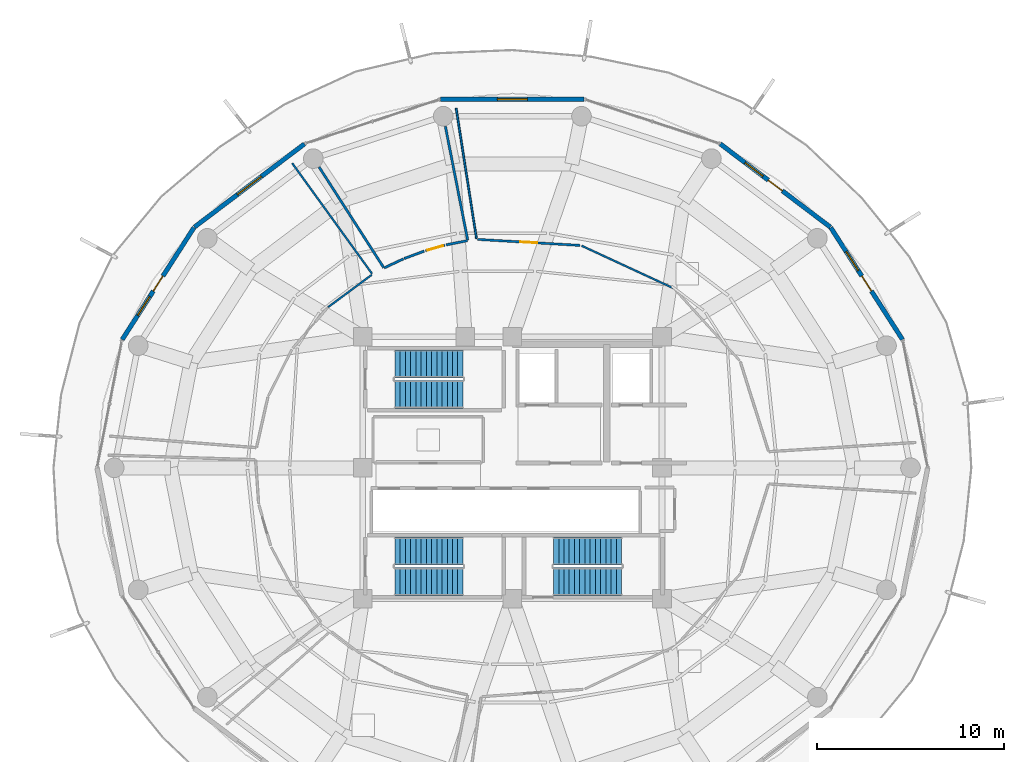
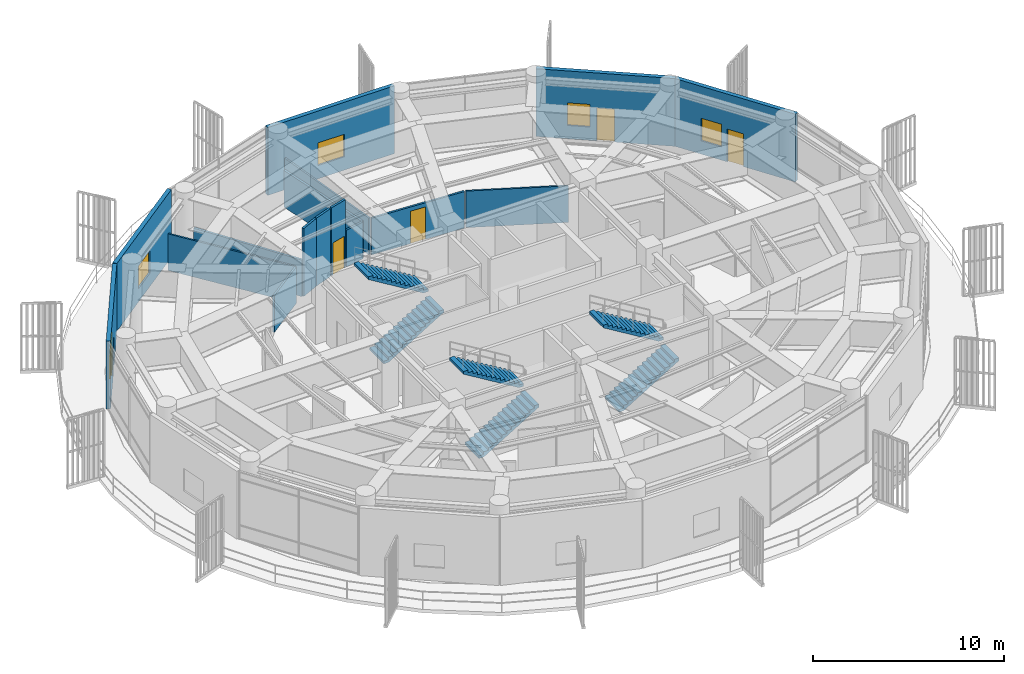
# One storey, part 24 of 29: 16 walls, 6 stair flights, 5 doors, 5 windows, 10 openings, 3 elements without a shape of their own.
"""IFC4 building model written with IfcOpenShell, lengths in metres."""

from ifc_helpers import new_model, si_unit, direction, frame, frame_2d, origin, place, context, subcontext, project, spatial, polyline, rectangle, outline, extrude, material, layer, layer_set, type_object, element, fill, aggregate, save


model = new_model("IFC4")

# Units and contexts
model_context = context("Model", 3, precision=1e-05, world=origin(), true_north=direction((0.0, 1.0)))
body_context = subcontext(model_context, "Body", "Model", "MODEL_VIEW")
ifc_project = project(units=[si_unit("LENGTHUNIT", "METRE"), si_unit("AREAUNIT", "SQUARE_METRE"), si_unit("VOLUMEUNIT", "CUBIC_METRE"), si_unit("PLANEANGLEUNIT", "RADIAN"), si_unit("MASSUNIT", "GRAM", prefix="KILO")], contexts=[model_context])

# Site, building, storey
site_placement = place(None, origin())
site = spatial("IfcSite", under=ifc_project, at=site_placement, CompositionType="ELEMENT")
building_placement = place(site_placement, origin())
building = spatial("IfcBuilding", under=site, at=building_placement, Name="Kelanora Arch Commons", CompositionType="ELEMENT")
storey_placement = place(building_placement, frame((0.0, 0.0, 238.199951171875)))
storey = spatial("IfcBuildingStorey", under=building, at=storey_placement, Name="L61", CompositionType="ELEMENT", Elevation=238.199951171875)

# Wall, openings, door, window
ifc_material_1 = material(Name="Precast concrete C40/50 upper-zone terracotta rainscreen", Category="masonry")
ifc_layer_1 = layer(ifc_material_1, 0.239990234375)
ifc_layer_set_1 = layer_set([ifc_layer_1], Name="Precast concrete C40/50 upper-zone terracotta rainscreen")
wall_type_1 = type_object("IfcWallType", Name="W-EXT-TC2", PredefinedType="SOLIDWALL", material=ifc_layer_set_1)
wall_1_placement = place(storey_placement, frame((94.85302734375, 64.85302734375, 0.0), z_axis=(0.0, 0.0, 1.0), x_axis=(-0.539539512973, 0.841960280501, 0.0)))
wall_1 = element("IfcWall", 1, at=wall_1_placement, inside=storey, type_object=wall_type_1, Name="Terracotta Exterior Wall L61-B01", PredefinedType="SOLIDWALL", context=body_context, shape_type="SweptSolid", body=[
    extrude(rectangle(XDim=7.11474609375, YDim=0.239990234375, at=frame_2d((3.557373046875, 0.0))), origin(), (0.0, 0.0, 1.0), 4.344970703125),
])
opening_1_placement = place(wall_1_placement, frame((3.08203125, 0.0, 0.0)))
opening_1 = element("IfcOpeningElement", 2, at=opening_1_placement, cuts=wall_1, Name="Opening DB-01", PredefinedType="OPENING", context=body_context, shape_type="SweptSolid", body=[
    extrude(rectangle(XDim=0.949951171875, YDim=2.10009765625, at=frame_2d((0.47509765625, 1.050048828125))), frame((0.0, 0.1298828125, 0.0), z_axis=(0.0, -1.0, 0.0), x_axis=(1.0, 0.0, 0.0)), (0.0, 0.0, 1.0), 0.260009765625),
])
opening_2_placement = place(wall_1_placement, frame((4.382080078125, 0.0, 0.85009765625)))
opening_2 = element("IfcOpeningElement", 3, at=opening_2_placement, cuts=wall_1, Name="Opening WN-02", PredefinedType="OPENING", context=body_context, shape_type="SweptSolid", body=[
    extrude(rectangle(XDim=1.199951171875, YDim=1.449951171875, at=frame_2d((0.60009765625, 0.72509765625))), frame((0.0, 0.1298828125, 0.0), z_axis=(0.0, -1.0, 0.0), x_axis=(1.0, 0.0, 0.0)), (0.0, 0.0, 1.0), 0.260009765625),
])
ifc_material_2 = material(Name="Terracotta-aluminium thermally broken glazed balcony door", Category="masonry")
door_type_1 = type_object("IfcDoorType", Name="D-BAL-10", OperationType="NOTDEFINED", PredefinedType="DOOR", material=ifc_material_2)
door_1_placement = place(opening_1_placement, frame((0.949951171875, 0.0, 0.0), z_axis=(0.0, 0.0, 1.0), x_axis=(-1.0, 0.0, 0.0)))
door_1 = element("IfcDoor", 4, at=door_1_placement, inside=storey, type_object=door_type_1, Name="Wave Balcony Door L61-B01", OperationType="SINGLE_SWING_LEFT", OverallHeight=2.10009765625, OverallWidth=0.949951171875, PredefinedType="DOOR", context=body_context, shape_type="SweptSolid", body=[
    extrude(rectangle(XDim=0.949951171875, YDim=2.10009765625, at=frame_2d((0.47509765625, 1.050048828125))), frame((0.0, 0.02490234375, 0.0), z_axis=(0.0, -1.0, 0.0), x_axis=(1.0, 0.0, 0.0)), (0.0, 0.0, 1.0), 0.050048828125),
])
fill(opening_1, door_1)
ifc_material_3 = material(Name="Terracotta-anodised aluminium frame with operable awning sash", Category="masonry")
window_type_1 = type_object("IfcWindowType", Name="WIN-CL-12", PartitioningType="SINGLE_PANEL", PredefinedType="WINDOW", material=ifc_material_3)
window_1_placement = place(opening_2_placement, origin())
window_1 = element("IfcWindow", 5, at=window_1_placement, inside=storey, type_object=window_type_1, Name="Co-Living Operable Window L61-B01", OverallHeight=1.449951171875, OverallWidth=1.199951171875, PartitioningType="SINGLE_PANEL", PredefinedType="WINDOW", context=body_context, shape_type="SweptSolid", body=[
    extrude(rectangle(XDim=1.199951171875, YDim=1.449951171875, at=frame_2d((0.60009765625, 0.72509765625))), frame((0.0, 0.030029296875, 0.0), z_axis=(0.0, -1.0, 0.0), x_axis=(1.0, 0.0, 0.0)), (0.0, 0.0, 1.0), 0.06005859375),
])
fill(opening_2, window_1)

wall_2_placement = place(storey_placement, frame((90.994140625, 70.86474609375, 0.0), z_axis=(0.0, 0.0, 1.0), x_axis=(-0.797701674595, 0.603052268338, 0.0)))
wall_2 = element("IfcWall", 6, at=wall_2_placement, inside=storey, type_object=wall_type_1, Name="Terracotta Exterior Wall L61-B02", PredefinedType="SOLIDWALL", context=body_context, shape_type="SweptSolid", body=[
    extrude(rectangle(XDim=7.373779296875, YDim=0.239990234375, at=frame_2d((3.68701171875, 0.0))), origin(), (0.0, 0.0, 1.0), 4.344970703125),
])
opening_3_placement = place(wall_2_placement, frame((3.2119140625, 0.0, 0.0)))
opening_3 = element("IfcOpeningElement", 7, at=opening_3_placement, cuts=wall_2, Name="Opening DB-01", PredefinedType="OPENING", context=body_context, shape_type="SweptSolid", body=[
    extrude(rectangle(XDim=0.949951171875, YDim=2.10009765625, at=frame_2d((0.47509765625, 1.050048828125))), frame((0.0, 0.1298828125, 0.0), z_axis=(0.0, -1.0, 0.0), x_axis=(1.0, 0.0, 0.0)), (0.0, 0.0, 1.0), 0.260009765625),
])
opening_4_placement = place(wall_2_placement, frame((4.511962890625, 0.0, 0.85009765625)))
opening_4 = element("IfcOpeningElement", 8, at=opening_4_placement, cuts=wall_2, Name="Opening WN-02", PredefinedType="OPENING", context=body_context, shape_type="SweptSolid", body=[
    extrude(rectangle(XDim=1.199951171875, YDim=1.449951171875, at=frame_2d((0.60009765625, 0.72509765625))), frame((0.0, 0.1298828125, 0.0), z_axis=(0.0, -1.0, 0.0), x_axis=(1.0, 0.0, 0.0)), (0.0, 0.0, 1.0), 0.260009765625),
])
door_2_placement = place(opening_3_placement, frame((0.949951171875, 0.0, 0.0), z_axis=(0.0, 0.0, 1.0), x_axis=(-1.0, 0.0, 0.0)))
door_2 = element("IfcDoor", 9, at=door_2_placement, inside=storey, type_object=door_type_1, Name="Wave Balcony Door L61-B02", OperationType="SINGLE_SWING_RIGHT", OverallHeight=2.10009765625, OverallWidth=0.949951171875, PredefinedType="DOOR", context=body_context, shape_type="SweptSolid", body=[
    extrude(rectangle(XDim=0.949951171875, YDim=2.10009765625, at=frame_2d((0.47509765625, 1.050048828125))), frame((0.0, 0.02490234375, 0.0), z_axis=(0.0, -1.0, 0.0), x_axis=(1.0, 0.0, 0.0)), (0.0, 0.0, 1.0), 0.050048828125),
])
fill(opening_3, door_2)
window_2_placement = place(opening_4_placement, origin())
window_2 = element("IfcWindow", 10, at=window_2_placement, inside=storey, type_object=window_type_1, Name="Co-Living Operable Window L61-B02", OverallHeight=1.449951171875, OverallWidth=1.199951171875, PartitioningType="SINGLE_PANEL", PredefinedType="WINDOW", context=body_context, shape_type="SweptSolid", body=[
    extrude(rectangle(XDim=1.199951171875, YDim=1.449951171875, at=frame_2d((0.60009765625, 0.72509765625))), frame((0.0, 0.030029296875, 0.0), z_axis=(0.0, -1.0, 0.0), x_axis=(1.0, 0.0, 0.0)), (0.0, 0.0, 1.0), 0.06005859375),
])
fill(opening_4, window_2)

# Wall, opening, window
wall_3_placement = place(storey_placement, frame((77.840087890625, 77.6962890625, 0.0), z_axis=(0.0, 0.0, 1.0), x_axis=(-1.0, 0.0, 0.0)))
wall_3 = element("IfcWall", 11, at=wall_3_placement, inside=storey, type_object=wall_type_1, Name="Terracotta Exterior Wall L61-B04", PredefinedType="SOLIDWALL", context=body_context, shape_type="SweptSolid", body=[
    extrude(rectangle(XDim=7.68017578125, YDim=0.239990234375, at=frame_2d((3.840087890625, 0.0))), origin(), (0.0, 0.0, 1.0), 4.344970703125),
])
opening_5_placement = place(wall_3_placement, frame((3.0400390625, 0.0, 0.85009765625)))
opening_5 = element("IfcOpeningElement", 12, at=opening_5_placement, cuts=wall_3, Name="Opening WN-01", PredefinedType="OPENING", context=body_context, shape_type="SweptSolid", body=[
    extrude(rectangle(XDim=1.60009765625, YDim=1.449951171875, at=frame_2d((0.800048828125, 0.72509765625))), frame((0.0, 0.1298828125, 0.0), z_axis=(0.0, -1.0, 0.0), x_axis=(1.0, 0.0, 0.0)), (0.0, 0.0, 1.0), 0.260009765625),
])
ifc_material_4 = material(Name="Terracotta-anodised aluminium frame with operable low-E glazing", Category="masonry")
window_type_2 = type_object("IfcWindowType", Name="WIN-CL-18", PartitioningType="DOUBLE_PANEL_VERTICAL", PredefinedType="WINDOW", material=ifc_material_4)
window_3_placement = place(opening_5_placement, origin())
window_3 = element("IfcWindow", 13, at=window_3_placement, inside=storey, type_object=window_type_2, Name="Co-Living Operable Window L61-B04", OverallHeight=1.449951171875, OverallWidth=1.60009765625, PartitioningType="SINGLE_PANEL", PredefinedType="WINDOW", context=body_context, shape_type="SweptSolid", body=[
    extrude(rectangle(XDim=1.60009765625, YDim=1.449951171875, at=frame_2d((0.800048828125, 0.72509765625))), frame((0.0, 0.030029296875, 0.0), z_axis=(0.0, -1.0, 0.0), x_axis=(1.0, 0.0, 0.0)), (0.0, 0.0, 1.0), 0.06005859375),
])
fill(opening_5, window_3)

wall_4_placement = place(storey_placement, frame((62.887939453125, 75.3115234375, 0.0), z_axis=(0.0, 0.0, 1.0), x_axis=(-0.797701674595, -0.603052268338, 0.0)))
wall_4 = element("IfcWall", 14, at=wall_4_placement, inside=storey, type_object=wall_type_1, Name="Terracotta Exterior Wall L61-B06", PredefinedType="SOLIDWALL", context=body_context, shape_type="SweptSolid", body=[
    extrude(rectangle(XDim=7.373779296875, YDim=0.239990234375, at=frame_2d((3.68701171875, 0.0))), origin(), (0.0, 0.0, 1.0), 4.344970703125),
])
opening_6_placement = place(wall_4_placement, frame((2.886962890625, 0.0, 0.85009765625)))
opening_6 = element("IfcOpeningElement", 15, at=opening_6_placement, cuts=wall_4, Name="Opening WN-01", PredefinedType="OPENING", context=body_context, shape_type="SweptSolid", body=[
    extrude(rectangle(XDim=1.60009765625, YDim=1.449951171875, at=frame_2d((0.800048828125, 0.72509765625))), frame((0.0, 0.1298828125, 0.0), z_axis=(0.0, -1.0, 0.0), x_axis=(1.0, 0.0, 0.0)), (0.0, 0.0, 1.0), 0.260009765625),
])
window_4_placement = place(opening_6_placement, origin())
window_4 = element("IfcWindow", 16, at=window_4_placement, inside=storey, type_object=window_type_2, Name="Co-Living Operable Window L61-B06", OverallHeight=1.449951171875, OverallWidth=1.60009765625, PartitioningType="SINGLE_PANEL", PredefinedType="WINDOW", context=body_context, shape_type="SweptSolid", body=[
    extrude(rectangle(XDim=1.60009765625, YDim=1.449951171875, at=frame_2d((0.800048828125, 0.72509765625))), frame((0.0, 0.030029296875, 0.0), z_axis=(0.0, -1.0, 0.0), x_axis=(1.0, 0.0, 0.0)), (0.0, 0.0, 1.0), 0.06005859375),
])
fill(opening_6, window_4)

# Wall, openings, door, window
wall_5_placement = place(storey_placement, frame((56.985595703125, 70.84326171875, 0.0), z_axis=(0.0, 0.0, 1.0), x_axis=(-0.539539512973, -0.841960280501, 0.0)))
wall_5 = element("IfcWall", 17, at=wall_5_placement, inside=storey, type_object=wall_type_1, Name="Terracotta Exterior Wall L61-B07", PredefinedType="SOLIDWALL", context=body_context, shape_type="SweptSolid", body=[
    extrude(rectangle(XDim=7.11474609375, YDim=0.239990234375, at=frame_2d((3.557373046875, 0.0))), origin(), (0.0, 0.0, 1.0), 4.344970703125),
])
opening_7_placement = place(wall_5_placement, frame((3.08203125, 0.0, 0.0)))
opening_7 = element("IfcOpeningElement", 18, at=opening_7_placement, cuts=wall_5, Name="Opening DB-01", PredefinedType="OPENING", context=body_context, shape_type="SweptSolid", body=[
    extrude(rectangle(XDim=0.949951171875, YDim=2.10009765625, at=frame_2d((0.47509765625, 1.050048828125))), frame((0.0, 0.1298828125, 0.0), z_axis=(0.0, -1.0, 0.0), x_axis=(1.0, 0.0, 0.0)), (0.0, 0.0, 1.0), 0.260009765625),
])
opening_8_placement = place(wall_5_placement, frame((4.382080078125, 0.0, 0.85009765625)))
opening_8 = element("IfcOpeningElement", 19, at=opening_8_placement, cuts=wall_5, Name="Opening WN-02", PredefinedType="OPENING", context=body_context, shape_type="SweptSolid", body=[
    extrude(rectangle(XDim=1.199951171875, YDim=1.449951171875, at=frame_2d((0.60009765625, 0.72509765625))), frame((0.0, 0.1298828125, 0.0), z_axis=(0.0, -1.0, 0.0), x_axis=(1.0, 0.0, 0.0)), (0.0, 0.0, 1.0), 0.260009765625),
])
door_3_placement = place(opening_7_placement, frame((0.949951171875, 0.0, 0.0), z_axis=(0.0, 0.0, 1.0), x_axis=(-1.0, 0.0, 0.0)))
door_3 = element("IfcDoor", 20, at=door_3_placement, inside=storey, type_object=door_type_1, Name="Wave Balcony Door L61-B07", OperationType="SINGLE_SWING_LEFT", OverallHeight=2.10009765625, OverallWidth=0.949951171875, PredefinedType="DOOR", context=body_context, shape_type="SweptSolid", body=[
    extrude(rectangle(XDim=0.949951171875, YDim=2.10009765625, at=frame_2d((0.47509765625, 1.050048828125))), frame((0.0, 0.02490234375, 0.0), z_axis=(0.0, -1.0, 0.0), x_axis=(1.0, 0.0, 0.0)), (0.0, 0.0, 1.0), 0.050048828125),
])
fill(opening_7, door_3)
window_5_placement = place(opening_8_placement, origin())
window_5 = element("IfcWindow", 21, at=window_5_placement, inside=storey, type_object=window_type_1, Name="Co-Living Operable Window L61-B07", OverallHeight=1.449951171875, OverallWidth=1.199951171875, PartitioningType="SINGLE_PANEL", PredefinedType="WINDOW", context=body_context, shape_type="SweptSolid", body=[
    extrude(rectangle(XDim=1.199951171875, YDim=1.449951171875, at=frame_2d((0.60009765625, 0.72509765625))), frame((0.0, 0.030029296875, 0.0), z_axis=(0.0, -1.0, 0.0), x_axis=(1.0, 0.0, 0.0)), (0.0, 0.0, 1.0), 0.06005859375),
])
fill(opening_8, window_5)

# Walls
ifc_material_5 = material(Name="Lightweight fire-rated acoustic stud partition")
ifc_layer_2 = layer(ifc_material_5, 0.10009765625)
ifc_layer_set_2 = layer_set([ifc_layer_2], Name="Lightweight fire-rated acoustic stud partition")
wall_type_2 = type_object("IfcWallType", Name="W-PART-100", PredefinedType="PARTITIONING", material=ifc_layer_set_2)
wall_6_placement = place(storey_placement, frame((82.604736328125, 67.598876953125, 0.0), z_axis=(0.0, 0.0, 1.0), x_axis=(-0.907600330483, 0.419835253531, 0.0)))
element("IfcWall", 22, at=wall_6_placement, inside=storey, type_object=wall_type_2, Name="East Horizon Quiet Study Lounge L61 Enclosure Partition 3", PredefinedType="PARTITIONING", context=body_context, shape_type="SweptSolid", body=[
    extrude(rectangle(XDim=5.398193359375, YDim=0.10009765625, at=frame_2d((2.69921875, 0.0))), origin(), (0.0, 0.0, 1.0), 2.344970703125),
])
wall_7_placement = place(storey_placement, frame((72.082763671875, 70.24951171875, 0.0), z_axis=(0.0, 0.0, 1.0), x_axis=(-0.154409597951, 0.988006921059, 0.0)))
element("IfcWall", 23, at=wall_7_placement, inside=storey, type_object=wall_type_2, Name="East Horizon Quiet Study Lounge L61 Enclosure Partition 5", PredefinedType="PARTITIONING", context=body_context, shape_type="SweptSolid", body=[
    extrude(rectangle(XDim=7.056640625, YDim=0.10009765625, at=frame_2d((3.5283203125, 0.0))), origin(), (0.0, 0.0, 1.0), 2.344970703125),
])
wall_8_placement = place(storey_placement, frame((66.489990234375, 68.317138671875, 0.0), z_axis=(0.0, 0.0, 1.0), x_axis=(-0.803775990189, -0.594932061328, 0.0)))
element("IfcWall", 24, at=wall_8_placement, inside=storey, type_object=wall_type_2, Name="Upper Sky Transfer Lecture Forum L61 Enclosure Partition 1", PredefinedType="PARTITIONING", context=body_context, shape_type="SweptSolid", body=[
    extrude(rectangle(XDim=2.905029296875, YDim=0.10009765625, at=frame_2d((1.45263671875, 0.0))), origin(), (0.0, 0.0, 1.0), 2.344970703125),
])
wall_9_placement = place(storey_placement, frame((62.232421875, 74.279541015625, 0.0), z_axis=(0.0, 0.0, 1.0), x_axis=(0.585534597139, -0.810647417533, 0.0)))
element("IfcWall", 25, at=wall_9_placement, inside=storey, type_object=wall_type_2, Name="Upper Sky Transfer Lecture Forum L61 Enclosure Partition 10", PredefinedType="PARTITIONING", context=body_context, shape_type="SweptSolid", body=[
    extrude(rectangle(XDim=7.285888671875, YDim=0.10009765625, at=frame_2d((3.64306640625, 0.0))), origin(), (0.0, 0.0, 1.0), 2.344970703125),
])

# Wall, opening, door
ifc_material_6 = material(Name="Acoustic twin-stud fire-rated gypsum partition")
ifc_layer_3 = layer(ifc_material_6, 0.1201171875)
ifc_layer_set_3 = layer_set([ifc_layer_3], Name="Acoustic twin-stud fire-rated gypsum partition")
wall_type_3 = type_object("IfcWallType", Name="W-PART-120", PredefinedType="PARTITIONING", material=ifc_layer_set_3)
wall_10_placement = place(storey_placement, frame((77.609130859375, 69.885498046875, 0.0), z_axis=(0.0, 0.0, 1.0), x_axis=(-0.998275911992, 0.058695856216, 0.0)))
wall_10 = element("IfcWall", 26, at=wall_10_placement, inside=storey, type_object=wall_type_3, Name="East Horizon Quiet Study Lounge L61 Entry Partition", PredefinedType="PARTITIONING", context=body_context, shape_type="SweptSolid", body=[
    extrude(rectangle(XDim=5.4697265625, YDim=0.1201171875, at=frame_2d((2.73486328125, 0.0))), origin(), (0.0, 0.0, 1.0), 2.344970703125),
])
opening_9_placement = place(wall_10_placement, frame((2.284912109375, 0.0, 0.0)))
opening_9 = element("IfcOpeningElement", 27, at=opening_9_placement, cuts=wall_10, Name="Opening D-RM1", PredefinedType="OPENING", context=body_context, shape_type="SweptSolid", body=[
    extrude(rectangle(XDim=0.89990234375, YDim=2.080078125, at=frame_2d((0.449951171875, 1.0400390625))), frame((0.0, 0.070068359375, 0.0), z_axis=(0.0, -1.0, 0.0), x_axis=(1.0, 0.0, 0.0)), (0.0, 0.0, 1.0), 0.14013671875),
])
ifc_material_7 = material(Name="Acoustic fire-rated timber study and lounge door", Category="wood")
door_type_2 = type_object("IfcDoorType", Name="D-ROOM-90", OperationType="NOTDEFINED", PredefinedType="DOOR", material=ifc_material_7)
door_4_placement = place(opening_9_placement, origin())
door_4 = element("IfcDoor", 28, at=door_4_placement, inside=storey, type_object=door_type_2, Name="East Horizon Quiet Study Lounge L61 Door", OperationType="SINGLE_SWING_LEFT", OverallHeight=2.080078125, OverallWidth=0.89990234375, PredefinedType="DOOR", context=body_context, shape_type="SweptSolid", body=[
    extrude(rectangle(XDim=0.89990234375, YDim=2.080078125, at=frame_2d((0.449951171875, 1.0400390625))), frame((0.0, 0.02490234375, 0.0), z_axis=(0.0, -1.0, 0.0), x_axis=(1.0, 0.0, 0.0)), (0.0, 0.0, 1.0), 0.050048828125),
])
fill(opening_9, door_4)

ifc_material_8 = material(Name="Moisture-resistant fire-rated cement-board plumbing wall")
ifc_layer_4 = layer(ifc_material_8, 0.1298828125)
ifc_layer_set_4 = layer_set([ifc_layer_4], Name="Moisture-resistant fire-rated cement-board plumbing wall")
wall_type_4 = type_object("IfcWallType", Name="W-WET-120", PredefinedType="PLUMBINGWALL", material=ifc_layer_set_4)
wall_11_placement = place(storey_placement, frame((70.38818359375, 69.8935546875, 0.0), z_axis=(0.0, 0.0, 1.0), x_axis=(-0.962014611548, -0.27299796184, 0.0)))
wall_11 = element("IfcWall", 29, at=wall_11_placement, inside=storey, type_object=wall_type_4, Name="Upper Sky Lobby Accessible WCs L61 Entry Partition", PredefinedType="PLUMBINGWALL", context=body_context, shape_type="SweptSolid", body=[
    extrude(rectangle(XDim=1.06689453125, YDim=0.1298828125, at=frame_2d((0.533447265625, 0.0))), origin(), (0.0, 0.0, 1.0), 4.35009765625),
])
opening_10_placement = place(wall_11_placement, frame((0.10400390625, 0.0, 0.0)))
opening_10 = element("IfcOpeningElement", 30, at=opening_10_placement, cuts=wall_11, Name="Opening D-BT1", PredefinedType="OPENING", context=body_context, shape_type="SweptSolid", body=[
    extrude(rectangle(XDim=0.860107421875, YDim=2.050048828125, at=frame_2d((0.43017578125, 1.02490234375))), frame((0.0, 0.074951171875, 0.0), z_axis=(0.0, -1.0, 0.0), x_axis=(1.0, 0.0, 0.0)), (0.0, 0.0, 1.0), 0.14990234375),
])
ifc_material_9 = material(Name="Moisture-sealed fire-rated accessible bathroom door")
door_type_3 = type_object("IfcDoorType", Name="D-BATH-85", OperationType="NOTDEFINED", PredefinedType="DOOR", material=ifc_material_9)
door_5_placement = place(opening_10_placement, origin())
door_5 = element("IfcDoor", 31, at=door_5_placement, inside=storey, type_object=door_type_3, Name="Upper Sky Lobby Accessible WCs L61 Door", OperationType="SINGLE_SWING_RIGHT", OverallHeight=2.050048828125, OverallWidth=0.860107421875, PredefinedType="DOOR", context=body_context, shape_type="SweptSolid", body=[
    extrude(rectangle(XDim=0.860107421875, YDim=2.050048828125, at=frame_2d((0.43017578125, 1.02490234375))), frame((0.0, 0.02490234375, 0.0), z_axis=(0.0, -1.0, 0.0), x_axis=(1.0, 0.0, 0.0)), (0.0, 0.0, 1.0), 0.050048828125),
])
fill(opening_10, door_5)

# Walls
wall_12_placement = place(storey_placement, frame((71.596435546875, 70.13916015625, 0.0), z_axis=(0.0, 0.0, 1.0), x_axis=(-0.980718868188, -0.195423902275, 0.0)))
element("IfcWall", 32, at=wall_12_placement, inside=storey, type_object=wall_type_4, Name="Upper Sky Lobby Accessible WCs L61 Enclosure Partition 1", PredefinedType="PLUMBINGWALL", context=body_context, shape_type="SweptSolid", body=[
    extrude(rectangle(XDim=1.153076171875, YDim=0.1298828125, at=frame_2d((0.57666015625, 0.0))), origin(), (0.0, 0.0, 1.0), 2.344970703125),
])
wall_13_placement = place(storey_placement, frame((69.285400390625, 69.5791015625, 0.0), z_axis=(0.0, 0.0, 1.0), x_axis=(-0.937441235011, -0.348143549273, 0.0)))
element("IfcWall", 33, at=wall_13_placement, inside=storey, type_object=wall_type_4, Name="Upper Sky Lobby Accessible WCs L61 Enclosure Partition 3", PredefinedType="PLUMBINGWALL", context=body_context, shape_type="SweptSolid", body=[
    extrude(rectangle(XDim=1.140869140625, YDim=0.1298828125, at=frame_2d((0.5703125, 0.0))), origin(), (0.0, 0.0, 1.0), 4.35009765625),
])
wall_14_placement = place(storey_placement, frame((68.178955078125, 69.16650390625, 0.0), z_axis=(0.0, 0.0, 1.0), x_axis=(-0.905764172402, -0.423782094941, 0.0)))
element("IfcWall", 34, at=wall_14_placement, inside=storey, type_object=wall_type_4, Name="Upper Sky Lobby Accessible WCs L61 Enclosure Partition 4", PredefinedType="PLUMBINGWALL", context=body_context, shape_type="SweptSolid", body=[
    extrude(rectangle(XDim=1.132568359375, YDim=0.1298828125, at=frame_2d((0.56640625, 0.0))), origin(), (0.0, 0.0, 1.0), 4.35009765625),
])
wall_15_placement = place(storey_placement, frame((67.124267578125, 68.69482421875, 0.0), z_axis=(0.0, 0.0, 1.0), x_axis=(-0.540404110524, 0.841405608092, 0.0)))
element("IfcWall", 35, at=wall_15_placement, inside=storey, type_object=wall_type_4, Name="Upper Sky Lobby Accessible WCs L61 Enclosure Partition 5", PredefinedType="PLUMBINGWALL", context=body_context, shape_type="SweptSolid", body=[
    extrude(rectangle(XDim=6.388916015625, YDim=0.1298828125, at=frame_2d((3.1943359375, 0.0))), origin(), (0.0, 0.0, 1.0), 2.344970703125),
])
wall_16_placement = place(storey_placement, frame((70.418212890625, 76.251953125, 0.0), z_axis=(0.0, 0.0, 1.0), x_axis=(0.192430061255, -0.98131069062, 0.0)))
element("IfcWall", 36, at=wall_16_placement, inside=storey, type_object=wall_type_4, Name="Upper Sky Lobby Accessible WCs L61 Enclosure Partition 10", PredefinedType="PLUMBINGWALL", context=body_context, shape_type="SweptSolid", body=[
    extrude(rectangle(XDim=6.205322265625, YDim=0.1298828125, at=frame_2d((3.1025390625, 0.0))), origin(), (0.0, 0.0, 1.0), 2.344970703125),
])

# Stair, stair flights
ifc_material_10 = material(Name="Concrete C40/50", Category="concrete")
stair_type = type_object("IfcStairType", Name="STR-DL-476", PredefinedType="HALF_TURN_STAIR", material=ifc_material_10)
stair_1_placement = place(storey_placement, origin())
stair_1 = element("IfcStair", 37, at=stair_1_placement, inside=storey, type_object=stair_type, Name="L61 ST-T1", PredefinedType="HALF_TURN_STAIR")
stair_flight_type = type_object("IfcStairFlightType", Name="FLT-DL-476", PredefinedType="STRAIGHT", material=ifc_material_10)
stair_flight_1_placement = place(storey_placement, frame((67.719970703125, 61.919921875, 0.0), z_axis=(0.0, 0.0, 1.0), x_axis=(1.0, 0.0, 0.0)))
stair_flight_1 = element("IfcStairFlight", 38, at=stair_flight_1_placement, type_object=stair_flight_type, Name="ST-T1 flight 1", NumberOfRisers=14, NumberOfTreads=13, PredefinedType="STRAIGHT", RiserHeight=0.17, TreadLength=0.28, context=body_context, shape_type="SweptSolid", body=[
    extrude(outline(polyline([(0.0, 0.0), (0.0, 0.169921875), (0.280029296875, 0.169921875), (0.280029296875, 0.340087890625), (0.56005859375, 0.340087890625), (0.56005859375, 0.510009765625), (0.840087890625, 0.510009765625), (0.840087890625, 0.679931640625), (1.1201171875, 0.679931640625), (1.1201171875, 0.85009765625), (1.39990234375, 0.85009765625), (1.39990234375, 1.02001953125), (1.679931640625, 1.02001953125), (1.679931640625, 1.18994140625), (1.9599609375, 1.18994140625), (1.9599609375, 1.360107421875), (2.239990234375, 1.360107421875), (2.239990234375, 1.530029296875), (2.52001953125, 1.530029296875), (2.52001953125, 1.699951171875), (2.800048828125, 1.699951171875), (2.800048828125, 1.8701171875), (3.080078125, 1.8701171875), (3.080078125, 2.0400390625), (3.360107421875, 2.0400390625), (3.360107421875, 2.2099609375), (3.639892578125, 2.2099609375), (3.639892578125, 2.3798828125), (3.639892578125, 2.03466796875), (0.288818359375, 0.0), (0.0, 0.0)])), frame((0.0, 0.739990234375, 0.0), z_axis=(0.0, -1.0, 0.0), x_axis=(1.0, 0.0, 0.0)), (0.0, 0.0, 1.0), 1.47998046875),
])
stair_flight_2_placement = place(storey_placement, frame((71.360107421875, 63.550048828125, 2.380126953125), z_axis=(0.0, 0.0, 1.0), x_axis=(-1.0, 0.0, 0.0)))
stair_flight_2 = element("IfcStairFlight", 39, at=stair_flight_2_placement, type_object=stair_flight_type, Name="ST-T1 flight 2", NumberOfRisers=14, NumberOfTreads=13, PredefinedType="STRAIGHT", RiserHeight=0.17, TreadLength=0.28, context=body_context, shape_type="SweptSolid", body=[
    extrude(outline(polyline([(0.0, 0.0), (0.0, 0.169921875), (0.280029296875, 0.169921875), (0.280029296875, 0.340087890625), (0.56005859375, 0.340087890625), (0.56005859375, 0.510009765625), (0.840087890625, 0.510009765625), (0.840087890625, 0.679931640625), (1.1201171875, 0.679931640625), (1.1201171875, 0.85009765625), (1.39990234375, 0.85009765625), (1.39990234375, 1.02001953125), (1.679931640625, 1.02001953125), (1.679931640625, 1.18994140625), (1.9599609375, 1.18994140625), (1.9599609375, 1.360107421875), (2.239990234375, 1.360107421875), (2.239990234375, 1.530029296875), (2.52001953125, 1.530029296875), (2.52001953125, 1.699951171875), (2.800048828125, 1.699951171875), (2.800048828125, 1.8701171875), (3.080078125, 1.8701171875), (3.080078125, 2.0400390625), (3.360107421875, 2.0400390625), (3.360107421875, 2.2099609375), (3.639892578125, 2.2099609375), (3.639892578125, 2.3798828125), (3.639892578125, 2.03466796875), (0.288818359375, 0.0), (0.0, 0.0)])), frame((0.0, 0.739990234375, 0.0), z_axis=(0.0, -1.0, 0.0), x_axis=(1.0, 0.0, 0.0)), (0.0, 0.0, 1.0), 1.47998046875),
])
aggregate(stair_1, [stair_flight_1, stair_flight_2])

stair_2_placement = place(storey_placement, origin())
stair_2 = element("IfcStair", 40, at=stair_2_placement, inside=storey, type_object=stair_type, Name="L61 ST-T2", PredefinedType="HALF_TURN_STAIR")
stair_flight_3_placement = place(storey_placement, frame((76.199951171875, 51.919921875, 0.0), z_axis=(0.0, 0.0, 1.0), x_axis=(1.0, 0.0, 0.0)))
stair_flight_3 = element("IfcStairFlight", 41, at=stair_flight_3_placement, type_object=stair_flight_type, Name="ST-T2 flight 1", NumberOfRisers=14, NumberOfTreads=13, PredefinedType="STRAIGHT", RiserHeight=0.17, TreadLength=0.28, context=body_context, shape_type="SweptSolid", body=[
    extrude(outline(polyline([(0.0, 0.0), (0.0, 0.169921875), (0.280029296875, 0.169921875), (0.280029296875, 0.340087890625), (0.56005859375, 0.340087890625), (0.56005859375, 0.510009765625), (0.840087890625, 0.510009765625), (0.840087890625, 0.679931640625), (1.1201171875, 0.679931640625), (1.1201171875, 0.85009765625), (1.39990234375, 0.85009765625), (1.39990234375, 1.02001953125), (1.679931640625, 1.02001953125), (1.679931640625, 1.18994140625), (1.9599609375, 1.18994140625), (1.9599609375, 1.360107421875), (2.239990234375, 1.360107421875), (2.239990234375, 1.530029296875), (2.52001953125, 1.530029296875), (2.52001953125, 1.699951171875), (2.800048828125, 1.699951171875), (2.800048828125, 1.8701171875), (3.080078125, 1.8701171875), (3.080078125, 2.0400390625), (3.360107421875, 2.0400390625), (3.360107421875, 2.2099609375), (3.639892578125, 2.2099609375), (3.639892578125, 2.3798828125), (3.639892578125, 2.03466796875), (0.288818359375, 0.0), (0.0, 0.0)])), frame((0.0, 0.739990234375, 0.0), z_axis=(0.0, -1.0, 0.0), x_axis=(1.0, 0.0, 0.0)), (0.0, 0.0, 1.0), 1.47998046875),
])
stair_flight_4_placement = place(storey_placement, frame((79.840087890625, 53.550048828125, 2.380126953125), z_axis=(0.0, 0.0, 1.0), x_axis=(-1.0, 0.0, 0.0)))
stair_flight_4 = element("IfcStairFlight", 42, at=stair_flight_4_placement, type_object=stair_flight_type, Name="ST-T2 flight 2", NumberOfRisers=14, NumberOfTreads=13, PredefinedType="STRAIGHT", RiserHeight=0.17, TreadLength=0.28, context=body_context, shape_type="SweptSolid", body=[
    extrude(outline(polyline([(0.0, 0.0), (0.0, 0.169921875), (0.280029296875, 0.169921875), (0.280029296875, 0.340087890625), (0.56005859375, 0.340087890625), (0.56005859375, 0.510009765625), (0.840087890625, 0.510009765625), (0.840087890625, 0.679931640625), (1.1201171875, 0.679931640625), (1.1201171875, 0.85009765625), (1.39990234375, 0.85009765625), (1.39990234375, 1.02001953125), (1.679931640625, 1.02001953125), (1.679931640625, 1.18994140625), (1.9599609375, 1.18994140625), (1.9599609375, 1.360107421875), (2.239990234375, 1.360107421875), (2.239990234375, 1.530029296875), (2.52001953125, 1.530029296875), (2.52001953125, 1.699951171875), (2.800048828125, 1.699951171875), (2.800048828125, 1.8701171875), (3.080078125, 1.8701171875), (3.080078125, 2.0400390625), (3.360107421875, 2.0400390625), (3.360107421875, 2.2099609375), (3.639892578125, 2.2099609375), (3.639892578125, 2.3798828125), (3.639892578125, 2.03466796875), (0.288818359375, 0.0), (0.0, 0.0)])), frame((0.0, 0.739990234375, 0.0), z_axis=(0.0, -1.0, 0.0), x_axis=(1.0, 0.0, 0.0)), (0.0, 0.0, 1.0), 1.47998046875),
])
aggregate(stair_2, [stair_flight_3, stair_flight_4])

stair_3_placement = place(storey_placement, origin())
stair_3 = element("IfcStair", 43, at=stair_3_placement, inside=storey, type_object=stair_type, Name="L61 ST-T3", PredefinedType="HALF_TURN_STAIR")
stair_flight_5_placement = place(storey_placement, frame((67.719970703125, 51.919921875, 0.0), z_axis=(0.0, 0.0, 1.0), x_axis=(1.0, 0.0, 0.0)))
stair_flight_5 = element("IfcStairFlight", 44, at=stair_flight_5_placement, type_object=stair_flight_type, Name="ST-T3 flight 1", NumberOfRisers=14, NumberOfTreads=13, PredefinedType="STRAIGHT", RiserHeight=0.17, TreadLength=0.28, context=body_context, shape_type="SweptSolid", body=[
    extrude(outline(polyline([(0.0, 0.0), (0.0, 0.169921875), (0.280029296875, 0.169921875), (0.280029296875, 0.340087890625), (0.56005859375, 0.340087890625), (0.56005859375, 0.510009765625), (0.840087890625, 0.510009765625), (0.840087890625, 0.679931640625), (1.1201171875, 0.679931640625), (1.1201171875, 0.85009765625), (1.39990234375, 0.85009765625), (1.39990234375, 1.02001953125), (1.679931640625, 1.02001953125), (1.679931640625, 1.18994140625), (1.9599609375, 1.18994140625), (1.9599609375, 1.360107421875), (2.239990234375, 1.360107421875), (2.239990234375, 1.530029296875), (2.52001953125, 1.530029296875), (2.52001953125, 1.699951171875), (2.800048828125, 1.699951171875), (2.800048828125, 1.8701171875), (3.080078125, 1.8701171875), (3.080078125, 2.0400390625), (3.360107421875, 2.0400390625), (3.360107421875, 2.2099609375), (3.639892578125, 2.2099609375), (3.639892578125, 2.3798828125), (3.639892578125, 2.03466796875), (0.288818359375, 0.0), (0.0, 0.0)])), frame((0.0, 0.739990234375, 0.0), z_axis=(0.0, -1.0, 0.0), x_axis=(1.0, 0.0, 0.0)), (0.0, 0.0, 1.0), 1.47998046875),
])
stair_flight_6_placement = place(storey_placement, frame((71.360107421875, 53.550048828125, 2.380126953125), z_axis=(0.0, 0.0, 1.0), x_axis=(-1.0, 0.0, 0.0)))
stair_flight_6 = element("IfcStairFlight", 45, at=stair_flight_6_placement, type_object=stair_flight_type, Name="ST-T3 flight 2", NumberOfRisers=14, NumberOfTreads=13, PredefinedType="STRAIGHT", RiserHeight=0.17, TreadLength=0.28, context=body_context, shape_type="SweptSolid", body=[
    extrude(outline(polyline([(0.0, 0.0), (0.0, 0.169921875), (0.280029296875, 0.169921875), (0.280029296875, 0.340087890625), (0.56005859375, 0.340087890625), (0.56005859375, 0.510009765625), (0.840087890625, 0.510009765625), (0.840087890625, 0.679931640625), (1.1201171875, 0.679931640625), (1.1201171875, 0.85009765625), (1.39990234375, 0.85009765625), (1.39990234375, 1.02001953125), (1.679931640625, 1.02001953125), (1.679931640625, 1.18994140625), (1.9599609375, 1.18994140625), (1.9599609375, 1.360107421875), (2.239990234375, 1.360107421875), (2.239990234375, 1.530029296875), (2.52001953125, 1.530029296875), (2.52001953125, 1.699951171875), (2.800048828125, 1.699951171875), (2.800048828125, 1.8701171875), (3.080078125, 1.8701171875), (3.080078125, 2.0400390625), (3.360107421875, 2.0400390625), (3.360107421875, 2.2099609375), (3.639892578125, 2.2099609375), (3.639892578125, 2.3798828125), (3.639892578125, 2.03466796875), (0.288818359375, 0.0), (0.0, 0.0)])), frame((0.0, 0.739990234375, 0.0), z_axis=(0.0, -1.0, 0.0), x_axis=(1.0, 0.0, 0.0)), (0.0, 0.0, 1.0), 1.47998046875),
])
aggregate(stair_3, [stair_flight_5, stair_flight_6])

save(model, "model.ifc")
